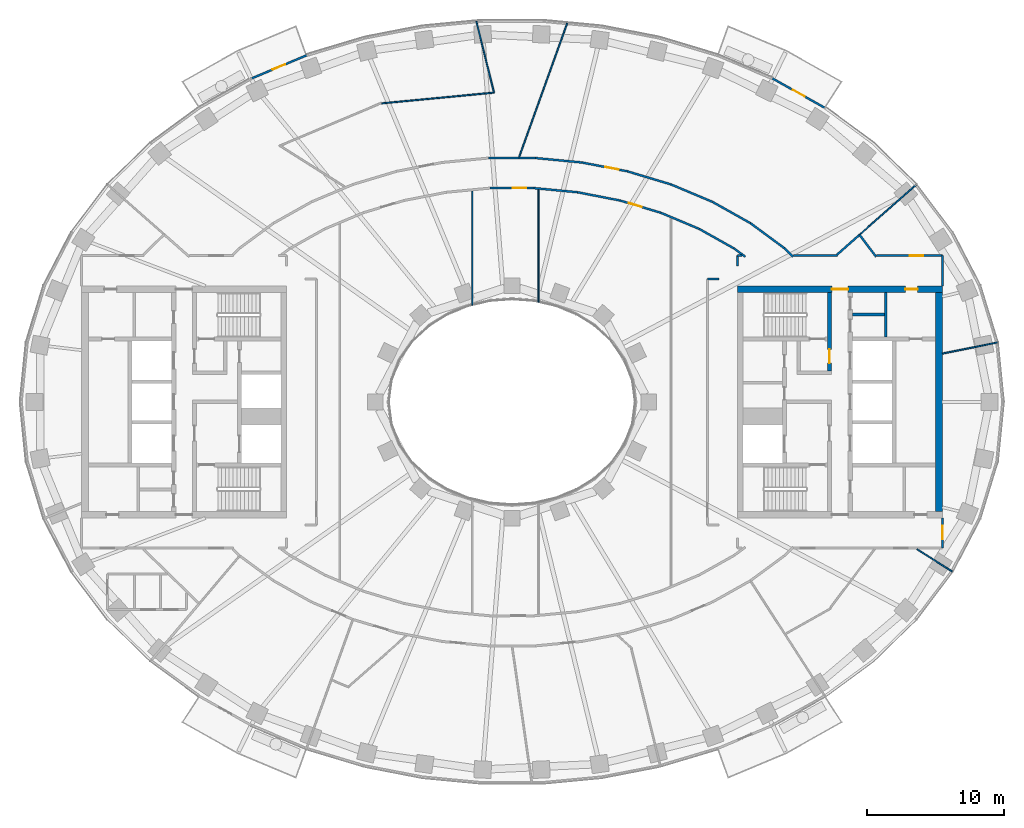
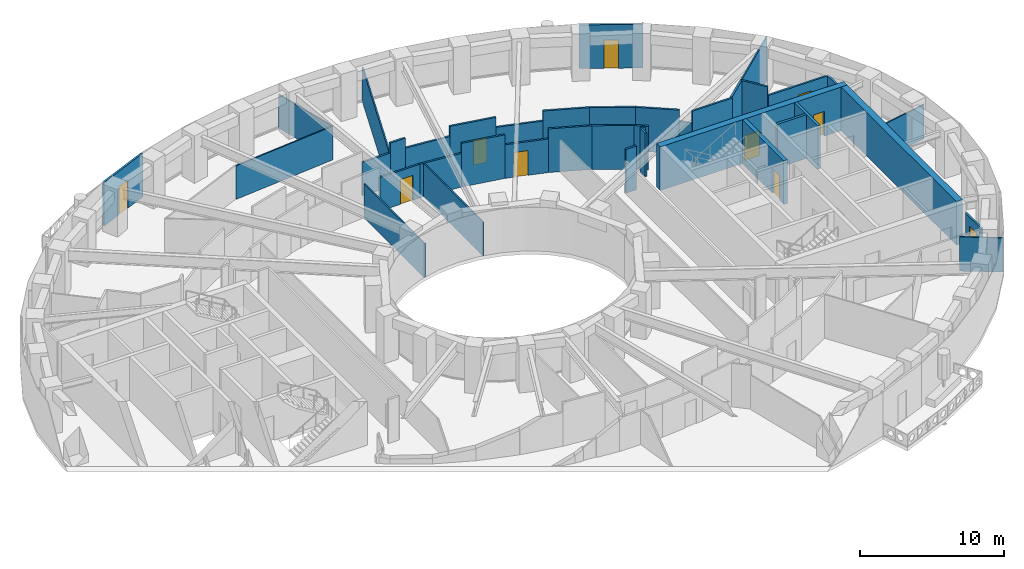
# One storey, part 7 of 16: 40 walls, 10 doors, 10 openings.
"""IFC4 building model written with IfcOpenShell, lengths in metres."""

import ifcopenshell
import ifcopenshell.guid

model = None  # the IFC model being written
_history = None  # IfcOwnerHistory: only IFC2X3 demands one
_inside = {}  # id of a spatial element -> (the spatial element, [elements in it])
_under = {}  # id of a project, library or spatial element -> (it, [spatial elements below it])
_declared = {}  # id of a project -> (the project, [libraries it declares])
_typed = {}  # id of a type object -> (the type object, [elements of that type])
_made_of = {}  # id of a material, layer set ... -> (it, [elements and type objects made of it])


def new_model(schema):
    """Start an empty IFC model of exactly this schema.

    Asked for "IFC4X3", IfcOpenShell would pick the latest addendum, in which some entities
    have other attributes; the version numbers below select the first issue.
    IFC2X3 requires an IfcOwnerHistory on every rooted entity: one is made here for all.
    """
    global model, _history
    if schema == "IFC4X3":
        model = ifcopenshell.file(schema_version=(4, 3, 0, 0))
    else:
        model = ifcopenshell.file(schema=schema)
    _inside.clear()
    _under.clear()
    _declared.clear()
    _typed.clear()
    _made_of.clear()
    _history = None
    if model.schema == "IFC2X3":
        org = make("IfcOrganization", Name="unknown")
        user = make(
            "IfcPersonAndOrganization",
            ThePerson=make("IfcPerson", FamilyName="unknown"),
            TheOrganization=org,
        )
        app = make(
            "IfcApplication",
            ApplicationDeveloper=org,
            Version="unknown",
            ApplicationFullName="unknown",
            ApplicationIdentifier="unknown",
        )
        _history = make(
            "IfcOwnerHistory",
            OwningUser=user,
            OwningApplication=app,
            ChangeAction="ADDED",
            CreationDate=0,
        )
    return model


def make(cls, **values):
    """One entity of the class cls with the attributes given. An attribute that is None is left unset."""
    return model.create_entity(
        cls, **{name: value for name, value in values.items() if value is not None}
    )


def rooted(cls, **values):
    """An entity with a GlobalId (a new one), such as an element, a storey or a relation."""
    return make(cls, GlobalId=ifcopenshell.guid.new(), OwnerHistory=_history, **values)


def si_unit(unit_type, name, prefix=None):
    """IfcSIUnit, for example si_unit("LENGTHUNIT", "METRE", prefix="MILLI")."""
    return make("IfcSIUnit", UnitType=unit_type, Prefix=prefix, Name=name)


def assignment(units):
    """IfcUnitAssignment: the units of a project."""
    return None if units is None else make("IfcUnitAssignment", Units=units)


def point(xyz):
    """IfcCartesianPoint."""
    return None if xyz is None else make("IfcCartesianPoint", Coordinates=xyz)


def direction(xyz):
    """IfcDirection."""
    return None if xyz is None else make("IfcDirection", DirectionRatios=xyz)


def frame(location, z_axis=None, x_axis=None):
    """IfcAxis2Placement3D, a coordinate frame: its origin and axes. An axis left out is left unset."""
    return make(
        "IfcAxis2Placement3D",
        Location=point(location),
        Axis=direction(z_axis),
        RefDirection=direction(x_axis),
    )


def frame_2d(location, x_axis=None):
    """IfcAxis2Placement2D, a coordinate frame in the plane: its origin and x axis."""
    return make(
        "IfcAxis2Placement2D", Location=point(location), RefDirection=direction(x_axis)
    )


def origin():
    """The frame at (0, 0, 0) with its axes left unset."""
    return frame((0.0, 0.0, 0.0))


def place(relative_to, where):
    """IfcLocalPlacement: puts the frame where relative to a parent placement (None: the world)."""
    return make(
        "IfcLocalPlacement", PlacementRelTo=relative_to, RelativePlacement=where
    )


def context(
    kind, dimensions, precision=None, world=None, true_north=None, identifier=None
):
    """IfcGeometricRepresentationContext, for example the 3D "Model" context."""
    return make(
        "IfcGeometricRepresentationContext",
        ContextIdentifier=identifier,
        ContextType=kind,
        CoordinateSpaceDimension=dimensions,
        Precision=precision,
        WorldCoordinateSystem=world,
        TrueNorth=true_north,
    )


def subcontext(parent, identifier, kind, view, scale=None):
    """IfcGeometricRepresentationSubContext, for example "Body" below "Model"."""
    return make(
        "IfcGeometricRepresentationSubContext",
        ContextIdentifier=identifier,
        ContextType=kind,
        ParentContext=parent,
        TargetScale=scale,
        TargetView=view,
    )


def project(units=None, contexts=None):
    """IfcProject with its units and contexts."""
    return rooted(
        "IfcProject",
        Name="project",
        RepresentationContexts=contexts,
        UnitsInContext=assignment(units),
    )


def spatial(cls, under=None, at=None, **own):
    """A site, building, storey or space (cls), placed at a placement, below another one or the project."""
    s = rooted(cls, ObjectPlacement=at, **own)
    if under is not None:
        _under.setdefault(under.id(), (under, []))[1].append(s)
    return s


def profile(cls, at=None, kind="AREA", **sizes):
    """A parametric profile (cls). Its sizes go by their IFC names, for example OverallWidth=200.0."""
    return make(cls, ProfileType=kind, Position=at, **sizes)


def rectangle(**sizes):
    """IfcRectangleProfileDef."""
    return profile("IfcRectangleProfileDef", **sizes)


def extrude(swept, where, along, depth):
    """IfcExtrudedAreaSolid: the profile swept, set in the frame where, extruded along a direction by depth."""
    return make(
        "IfcExtrudedAreaSolid",
        SweptArea=swept,
        Position=where,
        ExtrudedDirection=direction(along),
        Depth=depth,
    )


def shape(context_of_items, identifier, shape_type, items):
    """IfcShapeRepresentation: the items that make up one representation, for example the "Body"."""
    return make(
        "IfcShapeRepresentation",
        ContextOfItems=context_of_items,
        RepresentationIdentifier=identifier,
        RepresentationType=shape_type,
        Items=items,
    )


def material(Name=None, Category=None):
    """IfcMaterial."""
    return make("IfcMaterial", Name=Name, Category=Category)


def layer(
    of_material, thickness, ventilated=None, Name=None, Category=None, Priority=None
):
    """IfcMaterialLayer: one layer of a wall or slab, of a material (None: an air gap)."""
    return make(
        "IfcMaterialLayer",
        Material=of_material,
        LayerThickness=thickness,
        IsVentilated=ventilated,
        Name=Name,
        Category=Category,
        Priority=Priority,
    )


def layer_set(layers, Name=None):
    """IfcMaterialLayerSet."""
    return make("IfcMaterialLayerSet", MaterialLayers=layers, LayerSetName=Name)


def made_of(thing, what):
    """Note that an element or type object is made of a material, layer set ...; save() writes the relation."""
    if what is not None:
        _made_of.setdefault(what.id(), (what, []))[1].append(thing)
    return thing


def type_object(cls, material=None, **own):
    """A type object (cls), such as IfcWallType, which elements share."""
    return made_of(rooted(cls, **own), material)


def element(
    cls,
    number,
    at=None,
    inside=None,
    cuts=None,
    type_object=None,
    material=None,
    context=None,
    identifier="Body",
    shape_type=None,
    held_by="IfcProductDefinitionShape",
    body=None,
    shapes=None,
    **own,
):
    """One element of the class cls, such as IfcWall. Its Tag is "e" and its number.

    at: its placement. inside: the storey or other place that contains it. cuts: it is an
    opening in that element (IfcRelVoidsElement). A single representation is given by context,
    identifier, shape_type and body (its items); several are given by shapes. held_by: the class
    of the entity that holds the representations. save() writes the other relations.
    """
    e = rooted(cls, Tag="e%d" % number, ObjectPlacement=at, **own)
    if body is not None:
        shapes = [shape(context, identifier, shape_type, body)]
    if shapes is not None:
        e.Representation = make(held_by, Representations=shapes)
    if inside is not None:
        _inside.setdefault(inside.id(), (inside, []))[1].append(e)
    if cuts is not None:
        rooted(
            "IfcRelVoidsElement", RelatingBuildingElement=cuts, RelatedOpeningElement=e
        )
    if type_object is not None:
        _typed.setdefault(type_object.id(), (type_object, []))[1].append(e)
    return made_of(e, material)


def fill(opening, filler):
    """IfcRelFillsElement: the door or window that sits in an opening."""
    return rooted(
        "IfcRelFillsElement",
        RelatingOpeningElement=opening,
        RelatedBuildingElement=filler,
    )


def aggregate(whole, parts):
    """IfcRelAggregates: a whole, such as a stair, and the parts it consists of."""
    return rooted("IfcRelAggregates", RelatingObject=whole, RelatedObjects=parts)


def save(model, path):
    """Write the relations noted so far, then the file.

    IfcRelAggregates (storeys below a building ...), IfcRelContainedInSpatialStructure (elements
    in a storey), IfcRelDefinesByType, IfcRelAssociatesMaterial and IfcRelDeclares: one each for
    every whole, place, type object, material and project.
    """
    for whole, parts in _under.values():
        aggregate(whole, parts)
    for where, things in _inside.values():
        rooted(
            "IfcRelContainedInSpatialStructure",
            RelatedElements=things,
            RelatingStructure=where,
        )
    for kind, things in _typed.values():
        rooted("IfcRelDefinesByType", RelatedObjects=things, RelatingType=kind)
    for what, things in _made_of.values():
        rooted("IfcRelAssociatesMaterial", RelatedObjects=things, RelatingMaterial=what)
    for by, libraries in _declared.values():
        rooted("IfcRelDeclares", RelatingContext=by, RelatedDefinitions=libraries)
    model.write(path)


model = new_model("IFC4")

# Units and contexts
model_context = context("Model", 3, precision=1e-05, world=origin(), true_north=direction((0.0, 1.0)))
body_context = subcontext(model_context, "Body", "Model", "MODEL_VIEW")
ifc_project = project(units=[si_unit("LENGTHUNIT", "METRE"), si_unit("AREAUNIT", "SQUARE_METRE"), si_unit("VOLUMEUNIT", "CUBIC_METRE"), si_unit("PLANEANGLEUNIT", "RADIAN"), si_unit("MASSUNIT", "GRAM", prefix="KILO")], contexts=[model_context])

# Site, building, storey
site_placement = place(None, origin())
site = spatial("IfcSite", under=ifc_project, at=site_placement, CompositionType="ELEMENT")
building_placement = place(site_placement, origin())
building = spatial("IfcBuilding", under=site, at=building_placement, Name="Noorbagh Ring Tower", CompositionType="ELEMENT")
storey_placement = place(building_placement, frame((0.0, 0.0, 116.0)))
storey = spatial("IfcBuildingStorey", under=building, at=storey_placement, Name="L26", CompositionType="ELEMENT", Elevation=116.0)

# Walls
ifc_material_1 = material(Name="Gypsum board on steel studs", Category="steel")
ifc_layer_1 = layer(ifc_material_1, 0.199951171875)
ifc_layer_set_1 = layer_set([ifc_layer_1], Name="Gypsum board on steel studs")
wall_type_1 = type_object("IfcWallType", Name="CORE-PARTITION-200", PredefinedType="PARTITIONING", material=ifc_layer_set_1)
wall_1_placement = place(storey_placement, frame((27.35009765625, 4.75, 0.0), z_axis=(0.0, 0.0, 1.0), x_axis=(0.0, 1.0, 0.0)))
element("IfcWall", 1, at=wall_1_placement, inside=storey, type_object=wall_type_1, Name="Core partition E", PredefinedType="PARTITIONING", context=body_context, shape_type="SweptSolid", body=[
    extrude(rectangle(XDim=3.25, YDim=0.199951171875, at=frame_2d((1.625, 0.0))), origin(), (0.0, 0.0, 1.0), 3.699951171875),
])
wall_2_placement = place(storey_placement, frame((24.89990234375, 6.39990234375, 0.0), z_axis=(0.0, 0.0, 1.0), x_axis=(1.0, 0.0, 0.0)))
element("IfcWall", 2, at=wall_2_placement, inside=storey, type_object=wall_type_1, Name="Core partition E", PredefinedType="PARTITIONING", context=body_context, shape_type="SweptSolid", body=[
    extrude(rectangle(XDim=2.35009765625, YDim=0.199951171875, at=frame_2d((1.175048828125, 0.0))), origin(), (0.0, 0.0, 1.0), 3.699951171875),
])

# Wall, opening, door
ifc_material_2 = material(Name="Concrete C70/85", Category="concrete")
ifc_layer_2 = layer(ifc_material_2, 0.300048828125)
ifc_layer_set_2 = layer_set([ifc_layer_2], Name="Concrete C70/85")
wall_type_2 = type_object("IfcWallType", Name="CORE-WALL-300-C70-85-EI240", PredefinedType="SHEAR", material=ifc_layer_set_2)
wall_3_placement = place(storey_placement, frame((23.22998046875, 2.25, 0.0), z_axis=(0.0, 0.0, 1.0), x_axis=(0.0, 1.0, 0.0)))
wall_3 = element("IfcWall", 3, at=wall_3_placement, inside=storey, type_object=wall_type_2, Name="Core wall E", PredefinedType="SHEAR", context=body_context, shape_type="SweptSolid", body=[
    extrude(rectangle(XDim=5.75, YDim=0.300048828125, at=frame_2d((2.875, 0.0))), origin(), (0.0, 0.0, 1.0), 3.699951171875),
])
opening_1_placement = place(wall_3_placement, frame((0.60009765625, 0.0, 0.0)))
opening_1 = element("IfcOpeningElement", 4, at=opening_1_placement, cuts=wall_3, Name="Opening L26-CE08", PredefinedType="OPENING", context=body_context, shape_type="SweptSolid", body=[
    extrude(rectangle(XDim=1.0, YDim=2.10009765625, at=frame_2d((0.5, 1.050048828125))), frame((0.0, 0.16015625, 0.0), z_axis=(0.0, -1.0, 0.0), x_axis=(1.0, 0.0, 0.0)), (0.0, 0.0, 1.0), 0.320068359375),
])
ifc_material_3 = material(Name="Steel door leaf", Category="steel")
door_type_1 = type_object("IfcDoorType", Name="CORE-DOOR-DVEST", OperationType="SINGLE_SWING_LEFT", PredefinedType="DOOR", material=ifc_material_3)
door_1_placement = place(opening_1_placement, origin())
door_1 = element("IfcDoor", 5, at=door_1_placement, inside=storey, type_object=door_type_1, Name="Stair vestibule door L26-CE08", OperationType="SINGLE_SWING_RIGHT", OverallHeight=2.10009765625, OverallWidth=1.0, PredefinedType="DOOR", context=body_context, shape_type="SweptSolid", body=[
    extrude(rectangle(XDim=1.0, YDim=2.10009765625, at=frame_2d((0.5, 1.050048828125))), frame((0.0, 0.02490234375, 0.0), z_axis=(0.0, -1.0, 0.0), x_axis=(1.0, 0.0, 0.0)), (0.0, 0.0, 1.0), 0.050048828125),
])
fill(opening_1, door_1)

# Wall, openings, doors
ifc_material_4 = material(Name="Concrete C70/85", Category="concrete")
ifc_layer_3 = layer(ifc_material_4, 0.5)
ifc_layer_set_3 = layer_set([ifc_layer_3], Name="Concrete C70/85")
wall_type_3 = type_object("IfcWallType", Name="CORE-WALL-500-C70-85-EI240", PredefinedType="SHEAR", material=ifc_layer_set_3)
wall_4_placement = place(storey_placement, frame((16.5, 8.25, 0.0), z_axis=(0.0, 0.0, 1.0), x_axis=(1.0, 0.0, 0.0)))
wall_4 = element("IfcWall", 6, at=wall_4_placement, inside=storey, type_object=wall_type_3, Name="Core wall E", PredefinedType="SHEAR", context=body_context, shape_type="SweptSolid", body=[
    extrude(rectangle(XDim=15.0, YDim=0.5, at=frame_2d((7.5, 0.0))), origin(), (0.0, 0.0, 1.0), 3.699951171875),
])
opening_2_placement = place(wall_4_placement, frame((6.89990234375, 0.0, 0.0)))
opening_2 = element("IfcOpeningElement", 7, at=opening_2_placement, cuts=wall_4, Name="Opening L26-CE09", PredefinedType="OPENING", context=body_context, shape_type="SweptSolid", body=[
    extrude(rectangle(XDim=1.199951171875, YDim=2.10009765625, at=frame_2d((0.60009765625, 1.050048828125))), frame((0.0, 0.260009765625, 0.0), z_axis=(0.0, -1.0, 0.0), x_axis=(1.0, 0.0, 0.0)), (0.0, 0.0, 1.0), 0.52001953125),
])
opening_3_placement = place(wall_4_placement, frame((12.27490234375, 0.0, 0.0)))
opening_3 = element("IfcOpeningElement", 8, at=opening_3_placement, cuts=wall_4, Name="Opening L26-CE15", PredefinedType="OPENING", context=body_context, shape_type="SweptSolid", body=[
    extrude(rectangle(XDim=0.89990234375, YDim=2.10009765625, at=frame_2d((0.449951171875, 1.050048828125))), frame((0.0, 0.260009765625, 0.0), z_axis=(0.0, -1.0, 0.0), x_axis=(1.0, 0.0, 0.0)), (0.0, 0.0, 1.0), 0.52001953125),
])
ifc_material_5 = material(Name="Steel door leaf", Category="steel")
door_type_2 = type_object("IfcDoorType", Name="CORE-DOOR-DROOM", OperationType="SINGLE_SWING_LEFT", PredefinedType="DOOR", material=ifc_material_5)
door_2_placement = place(opening_3_placement, origin())
door_2 = element("IfcDoor", 9, at=door_2_placement, inside=storey, type_object=door_type_2, Name="Core room door L26-CE15", OperationType="SINGLE_SWING_LEFT", OverallHeight=2.10009765625, OverallWidth=0.89990234375, PredefinedType="DOOR", context=body_context, shape_type="SweptSolid", body=[
    extrude(rectangle(XDim=0.89990234375, YDim=2.10009765625, at=frame_2d((0.449951171875, 1.050048828125))), frame((0.0, 0.02490234375, 0.0), z_axis=(0.0, -1.0, 0.0), x_axis=(1.0, 0.0, 0.0)), (0.0, 0.0, 1.0), 0.050048828125),
])
fill(opening_3, door_2)
ifc_material_6 = material(Name="Steel door leaf", Category="steel")
door_type_3 = type_object("IfcDoorType", Name="CORE-DOOR-PORT", OperationType="DOUBLE_DOOR_DOUBLE_SWING", PredefinedType="DOOR", material=ifc_material_6)
door_3_placement = place(opening_2_placement, origin())
door_3 = element("IfcDoor", 10, at=door_3_placement, inside=storey, type_object=door_type_3, Name="Core entrance door L26-CE09", OperationType="DOUBLE_DOOR_DOUBLE_SWING", OverallHeight=2.10009765625, OverallWidth=1.199951171875, PredefinedType="DOOR", context=body_context, shape_type="SweptSolid", body=[
    extrude(rectangle(XDim=1.199951171875, YDim=2.10009765625, at=frame_2d((0.60009765625, 1.050048828125))), frame((0.0, 0.02490234375, 0.0), z_axis=(0.0, -1.0, 0.0), x_axis=(1.0, 0.0, 0.0)), (0.0, 0.0, 1.0), 0.050048828125),
])
fill(opening_2, door_3)

# Walls
wall_5_placement = place(storey_placement, frame((31.25, -8.0, 0.0), z_axis=(0.0, 0.0, 1.0), x_axis=(0.0, 1.0, 0.0)))
element("IfcWall", 11, at=wall_5_placement, inside=storey, type_object=wall_type_3, Name="Core wall E", PredefinedType="SHEAR", context=body_context, shape_type="SweptSolid", body=[
    extrude(rectangle(XDim=16.0, YDim=0.5, at=frame_2d((8.0, 0.0))), origin(), (0.0, 0.0, 1.0), 3.699951171875),
])
ifc_material_7 = material(Name="Gypsum board on steel studs", Category="steel")
ifc_layer_4 = layer(ifc_material_7, 0.14990234375)
ifc_layer_set_4 = layer_set([ifc_layer_4], Name="Gypsum board on steel studs")
wall_type_4 = type_object("IfcWallType", Name="CORRIDOR PARTITION 150 EI 30", PredefinedType="PARTITIONING", material=ifc_layer_set_4)
wall_6_placement = place(storey_placement, frame((-1.7119140625, 17.847900390625, 0.0), z_axis=(0.0, 0.0, 1.0), x_axis=(1.0, 0.0, 0.0)))
element("IfcWall", 12, at=wall_6_placement, inside=storey, type_object=wall_type_4, Name="L26/wall/P63", PredefinedType="PARTITIONING", context=body_context, shape_type="SweptSolid", body=[
    extrude(rectangle(XDim=2.261962890625, YDim=0.14990234375, at=frame_2d((1.130859375, 0.0))), origin(), (0.0, 0.0, 1.0), 2.85009765625),
])

# Wall, opening, door
wall_7_placement = place(storey_placement, frame((-1.60791015625, 15.64794921875, 0.0), z_axis=(0.0, 0.0, 1.0), x_axis=(1.0, 0.0, 0.0)))
wall_7 = element("IfcWall", 13, at=wall_7_placement, inside=storey, type_object=wall_type_4, Name="L26/wall/P65", PredefinedType="PARTITIONING", context=body_context, shape_type="SweptSolid", body=[
    extrude(rectangle(XDim=3.2158203125, YDim=0.14990234375, at=frame_2d((1.60791015625, 0.0))), origin(), (0.0, 0.0, 1.0), 2.85009765625),
])
opening_4_placement = place(wall_7_placement, frame((1.64990234375, 0.0, 0.0)))
opening_4 = element("IfcOpeningElement", 14, at=opening_4_placement, cuts=wall_7, Name="Opening D1", PredefinedType="OPENING", context=body_context, shape_type="SweptSolid", body=[
    extrude(rectangle(XDim=1.0, YDim=2.10009765625, at=frame_2d((0.5, 1.050048828125))), frame((0.0, 0.0849609375, 0.0), z_axis=(0.0, -1.0, 0.0), x_axis=(1.0, 0.0, 0.0)), (0.0, 0.0, 1.0), 0.169921875),
])
ifc_material_8 = material(Name="Timber, painted", Category="wood")
door_type_4 = type_object("IfcDoorType", Name="DOOR 1000 X 2100 FD30", OperationType="SINGLE_SWING_LEFT", PredefinedType="DOOR", material=ifc_material_8)
door_4_placement = place(opening_4_placement, origin())
door_4 = element("IfcDoor", 15, at=door_4_placement, inside=storey, type_object=door_type_4, Name="L26-D22", OperationType="SINGLE_SWING_RIGHT", OverallHeight=2.10009765625, OverallWidth=1.0, PredefinedType="DOOR", context=body_context, shape_type="SweptSolid", body=[
    extrude(rectangle(XDim=1.0, YDim=2.10009765625, at=frame_2d((0.5, 1.050048828125))), frame((0.0, 0.02490234375, 0.0), z_axis=(0.0, -1.0, 0.0), x_axis=(1.0, 0.0, 0.0)), (0.0, 0.0, 1.0), 0.050048828125),
])
fill(opening_4, door_4)

# Walls
wall_8_placement = place(storey_placement, frame((0.509033203125, 17.847900390625, 0.0), z_axis=(0.0, 0.0, 1.0), x_axis=(1.0, 0.0, 0.0)))
element("IfcWall", 16, at=wall_8_placement, inside=storey, type_object=wall_type_4, Name="L26/wall/P68", PredefinedType="PARTITIONING", context=body_context, shape_type="SweptSolid", body=[
    extrude(rectangle(XDim=1.202880859375, YDim=0.14990234375, at=frame_2d((0.6015625, 0.0))), origin(), (0.0, 0.0, 1.0), 3.699951171875),
])
wall_9_placement = place(storey_placement, frame((1.60791015625, 15.64794921875, 0.0), z_axis=(0.0, 0.0, 1.0), x_axis=(0.995491705426, -0.09484863957, 0.0)))
element("IfcWall", 17, at=wall_9_placement, inside=storey, type_object=wall_type_4, Name="L26/wall/P70", PredefinedType="PARTITIONING", context=body_context, shape_type="SweptSolid", body=[
    extrude(rectangle(XDim=3.20458984375, YDim=0.14990234375, at=frame_2d((1.602294921875, 0.0))), origin(), (0.0, 0.0, 1.0), 2.85009765625),
])
wall_10_placement = place(storey_placement, frame((1.7119140625, 17.847900390625, 0.0), z_axis=(0.0, 0.0, 1.0), x_axis=(0.995466844572, -0.095109207532, 0.0)))
element("IfcWall", 18, at=wall_10_placement, inside=storey, type_object=wall_type_4, Name="L26/wall/P72", PredefinedType="PARTITIONING", context=body_context, shape_type="SweptSolid", body=[
    extrude(rectangle(XDim=3.41650390625, YDim=0.14990234375, at=frame_2d((1.708251953125, 0.0))), origin(), (0.0, 0.0, 1.0), 2.85009765625),
])
wall_11_placement = place(storey_placement, frame((4.798095703125, 15.343994140625, 0.0), z_axis=(0.0, 0.0, 1.0), x_axis=(0.981588545092, -0.191007665145, 0.0)))
element("IfcWall", 19, at=wall_11_placement, inside=storey, type_object=wall_type_4, Name="L26/wall/P76", PredefinedType="PARTITIONING", context=body_context, shape_type="SweptSolid", body=[
    extrude(rectangle(XDim=3.17236328125, YDim=0.14990234375, at=frame_2d((1.586181640625, 0.0))), origin(), (0.0, 0.0, 1.0), 3.699951171875),
])

# Wall, opening, door
wall_12_placement = place(storey_placement, frame((5.113037109375, 17.52294921875, 0.0), z_axis=(0.0, 0.0, 1.0), x_axis=(0.981665220565, -0.190613207134, 0.0)))
wall_12 = element("IfcWall", 20, at=wall_12_placement, inside=storey, type_object=wall_type_4, Name="L26/wall/P78", PredefinedType="PARTITIONING", context=body_context, shape_type="SweptSolid", body=[
    extrude(rectangle(XDim=3.38916015625, YDim=0.14990234375, at=frame_2d((1.694580078125, 0.0))), origin(), (0.0, 0.0, 1.0), 3.699951171875),
])
opening_5_placement = place(wall_12_placement, frame((1.739013671875, 0.0, 0.0)))
opening_5 = element("IfcOpeningElement", 21, at=opening_5_placement, cuts=wall_12, Name="Opening D1", PredefinedType="OPENING", context=body_context, shape_type="SweptSolid", body=[
    extrude(rectangle(XDim=1.0, YDim=2.10009765625, at=frame_2d((0.5, 1.050048828125))), frame((0.0, 0.0849609375, 0.0), z_axis=(0.0, -1.0, 0.0), x_axis=(1.0, 0.0, 0.0)), (0.0, 0.0, 1.0), 0.169921875),
])
door_5_placement = place(opening_5_placement, origin())
door_5 = element("IfcDoor", 22, at=door_5_placement, inside=storey, type_object=door_type_4, Name="L26-D13", OperationType="SINGLE_SWING_LEFT", OverallHeight=2.10009765625, OverallWidth=1.0, PredefinedType="DOOR", context=body_context, shape_type="SweptSolid", body=[
    extrude(rectangle(XDim=1.0, YDim=2.10009765625, at=frame_2d((0.5, 1.050048828125))), frame((0.0, 0.02490234375, 0.0), z_axis=(0.0, -1.0, 0.0), x_axis=(1.0, 0.0, 0.0)), (0.0, 0.0, 1.0), 0.050048828125),
])
fill(opening_5, door_5)

wall_13_placement = place(storey_placement, frame((7.912109375, 14.738037109375, 0.0), z_axis=(0.0, 0.0, 1.0), x_axis=(0.957606118849, -0.28808075455, 0.0)))
wall_13 = element("IfcWall", 23, at=wall_13_placement, inside=storey, type_object=wall_type_4, Name="L26/wall/P81", PredefinedType="PARTITIONING", context=body_context, shape_type="SweptSolid", body=[
    extrude(rectangle(XDim=3.116943359375, YDim=0.14990234375, at=frame_2d((1.55859375, 0.0))), origin(), (0.0, 0.0, 1.0), 2.85009765625),
])
opening_6_placement = place(wall_13_placement, frame((0.64990234375, 0.0, 0.0)))
opening_6 = element("IfcOpeningElement", 24, at=opening_6_placement, cuts=wall_13, Name="Opening D1", PredefinedType="OPENING", context=body_context, shape_type="SweptSolid", body=[
    extrude(rectangle(XDim=1.0, YDim=2.10009765625, at=frame_2d((0.5, 1.050048828125))), frame((0.0, 0.0849609375, 0.0), z_axis=(0.0, -1.0, 0.0), x_axis=(1.0, 0.0, 0.0)), (0.0, 0.0, 1.0), 0.169921875),
])
door_6_placement = place(opening_6_placement, origin())
door_6 = element("IfcDoor", 25, at=door_6_placement, inside=storey, type_object=door_type_4, Name="L26-D23", OperationType="SINGLE_SWING_LEFT", OverallHeight=2.10009765625, OverallWidth=1.0, PredefinedType="DOOR", context=body_context, shape_type="SweptSolid", body=[
    extrude(rectangle(XDim=1.0, YDim=2.10009765625, at=frame_2d((0.5, 1.050048828125))), frame((0.0, 0.02490234375, 0.0), z_axis=(0.0, -1.0, 0.0), x_axis=(1.0, 0.0, 0.0)), (0.0, 0.0, 1.0), 0.050048828125),
])
fill(opening_6, door_6)

# Walls
wall_14_placement = place(storey_placement, frame((8.43994140625, 16.876953125, 0.0), z_axis=(0.0, 0.0, 1.0), x_axis=(0.957584891346, -0.288151307243, 0.0)))
element("IfcWall", 26, at=wall_14_placement, inside=storey, type_object=wall_type_4, Name="L26/wall/P83", PredefinedType="PARTITIONING", context=body_context, shape_type="SweptSolid", body=[
    extrude(rectangle(XDim=3.344970703125, YDim=0.14990234375, at=frame_2d((1.67236328125, 0.0))), origin(), (0.0, 0.0, 1.0), 2.85009765625),
])
wall_15_placement = place(storey_placement, frame((10.89697265625, 13.840087890625, 0.0), z_axis=(0.0, 0.0, 1.0), x_axis=(0.921751821358, -0.387780324183, 0.0)))
element("IfcWall", 27, at=wall_15_placement, inside=storey, type_object=wall_type_4, Name="L26/wall/P86", PredefinedType="PARTITIONING", context=body_context, shape_type="SweptSolid", body=[
    extrude(rectangle(XDim=3.037841796875, YDim=0.14990234375, at=frame_2d((1.51904296875, 0.0))), origin(), (0.0, 0.0, 1.0), 3.699951171875),
])
wall_16_placement = place(storey_placement, frame((11.64306640625, 15.9130859375, 0.0), z_axis=(0.0, 0.0, 1.0), x_axis=(0.921789499058, -0.38769075231, 0.0)))
element("IfcWall", 28, at=wall_16_placement, inside=storey, type_object=wall_type_4, Name="L26/wall/P89", PredefinedType="PARTITIONING", context=body_context, shape_type="SweptSolid", body=[
    extrude(rectangle(XDim=3.2783203125, YDim=0.14990234375, at=frame_2d((1.63916015625, 0.0))), origin(), (0.0, 0.0, 1.0), 3.699951171875),
])
wall_17_placement = place(storey_placement, frame((13.697021484375, 12.662109375, 0.0), z_axis=(0.0, 0.0, 1.0), x_axis=(0.872147381065, -0.489243237767, 0.0)))
element("IfcWall", 29, at=wall_17_placement, inside=storey, type_object=wall_type_4, Name="L26/wall/P91", PredefinedType="PARTITIONING", context=body_context, shape_type="SweptSolid", body=[
    extrude(rectangle(XDim=2.92724609375, YDim=0.14990234375, at=frame_2d((1.463623046875, 0.0))), origin(), (0.0, 0.0, 1.0), 3.699951171875),
])
wall_18_placement = place(storey_placement, frame((14.300048828125, 9.0, 0.0), z_axis=(0.0, 0.0, 1.0), x_axis=(1.0, 0.0, 0.0)))
element("IfcWall", 30, at=wall_18_placement, inside=storey, type_object=wall_type_4, Name="L26/wall/P94", PredefinedType="PARTITIONING", context=body_context, shape_type="SweptSolid", body=[
    extrude(rectangle(XDim=0.833984375, YDim=0.14990234375, at=frame_2d((0.4169921875, 0.0))), origin(), (0.0, 0.0, 1.0), 3.699951171875),
])
wall_19_placement = place(storey_placement, frame((14.6650390625, 14.64208984375, 0.0), z_axis=(0.0, 0.0, 1.0), x_axis=(0.872072095629, -0.489377420837, 0.0)))
element("IfcWall", 31, at=wall_19_placement, inside=storey, type_object=wall_type_4, Name="L26/wall/P96", PredefinedType="PARTITIONING", context=body_context, shape_type="SweptSolid", body=[
    extrude(rectangle(XDim=3.187744140625, YDim=0.14990234375, at=frame_2d((1.59375, 0.0))), origin(), (0.0, 0.0, 1.0), 3.699951171875),
])
wall_20_placement = place(storey_placement, frame((16.25, 11.22998046875, 0.0), z_axis=(0.0, 0.0, 1.0), x_axis=(0.805055837353, -0.59319903805, 0.0)))
element("IfcWall", 32, at=wall_20_placement, inside=storey, type_object=wall_type_4, Name="L26/wall/P98", PredefinedType="PARTITIONING", context=body_context, shape_type="SweptSolid", body=[
    extrude(rectangle(XDim=1.019775390625, YDim=0.14990234375, at=frame_2d((0.509765625, 0.0))), origin(), (0.0, 0.0, 1.0), 3.699951171875),
])
wall_21_placement = place(storey_placement, frame((16.5, 9.964111328125, 0.0), z_axis=(0.0, 0.0, 1.0), x_axis=(0.0, 1.0, 0.0)))
element("IfcWall", 33, at=wall_21_placement, inside=storey, type_object=wall_type_4, Name="L26/wall/P101", PredefinedType="PARTITIONING", context=body_context, shape_type="SweptSolid", body=[
    extrude(rectangle(XDim=0.73583984375, YDim=0.14990234375, at=frame_2d((0.367919921875, 0.0))), origin(), (0.0, 0.0, 1.0), 3.699951171875),
])
wall_22_placement = place(storey_placement, frame((16.5, 10.699951171875, 0.0), z_axis=(0.0, 0.0, 1.0), x_axis=(1.0, 0.0, 0.0)))
element("IfcWall", 34, at=wall_22_placement, inside=storey, type_object=wall_type_4, Name="L26/wall/P102", PredefinedType="PARTITIONING", context=body_context, shape_type="SweptSolid", body=[
    extrude(rectangle(XDim=0.343017578125, YDim=0.14990234375, at=frame_2d((0.17138671875, 0.0))), origin(), (0.0, 0.0, 1.0), 3.699951171875),
])
wall_23_placement = place(storey_placement, frame((17.445068359375, 13.08203125, 0.0), z_axis=(0.0, 0.0, 1.0), x_axis=(0.805185638843, -0.593022838516, 0.0)))
element("IfcWall", 35, at=wall_23_placement, inside=storey, type_object=wall_type_4, Name="L26/wall/P103", PredefinedType="PARTITIONING", context=body_context, shape_type="SweptSolid", body=[
    extrude(rectangle(XDim=3.072509765625, YDim=0.14990234375, at=frame_2d((1.5361328125, 0.0))), origin(), (0.0, 0.0, 1.0), 3.699951171875),
])
wall_24_placement = place(storey_placement, frame((19.9189453125, 11.260009765625, 0.0), z_axis=(0.0, 0.0, 1.0), x_axis=(0.716953986293, -0.697120492841, 0.0)))
element("IfcWall", 36, at=wall_24_placement, inside=storey, type_object=wall_type_4, Name="L26/wall/P107", PredefinedType="PARTITIONING", context=body_context, shape_type="SweptSolid", body=[
    extrude(rectangle(XDim=0.910888671875, YDim=0.14990234375, at=frame_2d((0.45556640625, 0.0))), origin(), (0.0, 0.0, 1.0), 2.75),
])
wall_25_placement = place(storey_placement, frame((20.60302734375, 10.699951171875, 0.0), z_axis=(0.0, 0.0, 1.0), x_axis=(1.0, 0.0, 0.0)))
element("IfcWall", 37, at=wall_25_placement, inside=storey, type_object=wall_type_4, Name="L26/wall/P110", PredefinedType="PARTITIONING", context=body_context, shape_type="SweptSolid", body=[
    extrude(rectangle(XDim=3.20703125, YDim=0.14990234375, at=frame_2d((1.603515625, 0.0))), origin(), (0.0, 0.0, 1.0), 3.699951171875),
])
wall_26_placement = place(storey_placement, frame((23.784912109375, 10.778076171875, 0.0), z_axis=(0.0, 0.0, 1.0), x_axis=(0.748911595987, 0.662669918886, 0.0)))
element("IfcWall", 38, at=wall_26_placement, inside=storey, type_object=wall_type_4, Name="L26/wall/P112", PredefinedType="PARTITIONING", context=body_context, shape_type="SweptSolid", body=[
    extrude(rectangle(XDim=2.19384765625, YDim=0.14990234375, at=frame_2d((1.096923828125, 0.0))), origin(), (0.0, 0.0, 1.0), 3.699951171875),
])
wall_27_placement = place(storey_placement, frame((25.427978515625, 12.23193359375, 0.0), z_axis=(0.0, 0.0, 1.0), x_axis=(0.601513631979, -0.798862535449, 0.0)))
element("IfcWall", 39, at=wall_27_placement, inside=storey, type_object=wall_type_4, Name="L26/wall/P113", PredefinedType="PARTITIONING", context=body_context, shape_type="SweptSolid", body=[
    extrude(rectangle(XDim=2.011474609375, YDim=0.14990234375, at=frame_2d((1.005859375, 0.0))), origin(), (0.0, 0.0, 1.0), 3.699951171875),
])

# Wall, opening, door
wall_28_placement = place(storey_placement, frame((26.676025390625, 10.699951171875, 0.0), z_axis=(0.0, 0.0, 1.0), x_axis=(1.0, 0.0, 0.0)))
wall_28 = element("IfcWall", 40, at=wall_28_placement, inside=storey, type_object=wall_type_4, Name="L26/wall/P115", PredefinedType="PARTITIONING", context=body_context, shape_type="SweptSolid", body=[
    extrude(rectangle(XDim=4.823974609375, YDim=0.14990234375, at=frame_2d((2.412109375, 0.0))), origin(), (0.0, 0.0, 1.0), 2.89990234375),
])
opening_7_placement = place(wall_28_placement, frame((2.424072265625, 0.0, 0.0)))
opening_7 = element("IfcOpeningElement", 41, at=opening_7_placement, cuts=wall_28, Name="Opening D1", PredefinedType="OPENING", context=body_context, shape_type="SweptSolid", body=[
    extrude(rectangle(XDim=1.0, YDim=2.10009765625, at=frame_2d((0.5, 1.050048828125))), frame((0.0, 0.0849609375, 0.0), z_axis=(0.0, -1.0, 0.0), x_axis=(1.0, 0.0, 0.0)), (0.0, 0.0, 1.0), 0.169921875),
])
door_7_placement = place(opening_7_placement, origin())
door_7 = element("IfcDoor", 42, at=door_7_placement, inside=storey, type_object=door_type_4, Name="L26-D17", OperationType="SINGLE_SWING_LEFT", OverallHeight=2.10009765625, OverallWidth=1.0, PredefinedType="DOOR", context=body_context, shape_type="SweptSolid", body=[
    extrude(rectangle(XDim=1.0, YDim=2.10009765625, at=frame_2d((0.5, 1.050048828125))), frame((0.0, 0.02490234375, 0.0), z_axis=(0.0, -1.0, 0.0), x_axis=(1.0, 0.0, 0.0)), (0.0, 0.0, 1.0), 0.050048828125),
])
fill(opening_7, door_7)

wall_29_placement = place(storey_placement, frame((31.5, -10.699951171875, 0.0), z_axis=(0.0, 0.0, 1.0), x_axis=(0.0, 1.0, 0.0)))
wall_29 = element("IfcWall", 43, at=wall_29_placement, inside=storey, type_object=wall_type_4, Name="L26/wall/P117", PredefinedType="PARTITIONING", context=body_context, shape_type="SweptSolid", body=[
    extrude(rectangle(XDim=2.199951171875, YDim=0.14990234375, at=frame_2d((1.10009765625, 0.0))), origin(), (0.0, 0.0, 1.0), 2.89990234375),
])
opening_8_placement = place(wall_29_placement, frame((0.64990234375, 0.0, 0.0)))
opening_8 = element("IfcOpeningElement", 44, at=opening_8_placement, cuts=wall_29, Name="Opening D1", PredefinedType="OPENING", context=body_context, shape_type="SweptSolid", body=[
    extrude(rectangle(XDim=1.0, YDim=2.10009765625, at=frame_2d((0.5, 1.050048828125))), frame((0.0, 0.0849609375, 0.0), z_axis=(0.0, -1.0, 0.0), x_axis=(1.0, 0.0, 0.0)), (0.0, 0.0, 1.0), 0.169921875),
])
door_8_placement = place(opening_8_placement, origin())
door_8 = element("IfcDoor", 45, at=door_8_placement, inside=storey, type_object=door_type_4, Name="L26-D18", OperationType="SINGLE_SWING_RIGHT", OverallHeight=2.10009765625, OverallWidth=1.0, PredefinedType="DOOR", context=body_context, shape_type="SweptSolid", body=[
    extrude(rectangle(XDim=1.0, YDim=2.10009765625, at=frame_2d((0.5, 1.050048828125))), frame((0.0, 0.02490234375, 0.0), z_axis=(0.0, -1.0, 0.0), x_axis=(1.0, 0.0, 0.0)), (0.0, 0.0, 1.0), 0.050048828125),
])
fill(opening_8, door_8)

# Wall
wall_30_placement = place(storey_placement, frame((31.5, 8.5, 0.0), z_axis=(0.0, 0.0, 1.0), x_axis=(0.0, 1.0, 0.0)))
element("IfcWall", 46, at=wall_30_placement, inside=storey, type_object=wall_type_4, Name="L26/wall/P119", PredefinedType="PARTITIONING", context=body_context, shape_type="SweptSolid", body=[
    extrude(rectangle(XDim=2.199951171875, YDim=0.14990234375, at=frame_2d((1.10009765625, 0.0))), origin(), (0.0, 0.0, 1.0), 2.89990234375),
])

# Wall, opening, door
ifc_material_9 = material(Name="Insulated aluminium clad panel", Category="aluminium")
ifc_layer_5 = layer(ifc_material_9, 0.14990234375)
ifc_layer_set_5 = layer_set([ifc_layer_5], Name="Insulated aluminium clad panel")
wall_type_5 = type_object("IfcWallType", Name="ENV-WALL-DOOR", PredefinedType="STANDARD", material=ifc_layer_set_5)
wall_31_placement = place(storey_placement, frame((22.913330078125, 21.508544921875, 0.0), z_axis=(0.0, 0.0, 1.0), x_axis=(-0.872046572975, 0.489422899509, 0.0)))
wall_31 = element("IfcWall", 47, at=wall_31_placement, inside=storey, type_object=wall_type_5, Name="Balcony door wall chord 07", PredefinedType="STANDARD", context=body_context, shape_type="SweptSolid", body=[
    extrude(rectangle(XDim=4.425537109375, YDim=0.14990234375, at=frame_2d((2.212890625, 0.0))), origin(), (0.0, 0.0, 1.0), 3.699951171875),
])
opening_9_placement = place(wall_31_placement, frame((1.712646484375, 0.0, 0.0)))
opening_9 = element("IfcOpeningElement", 48, at=opening_9_placement, cuts=wall_31, Name="Opening D-BL", PredefinedType="OPENING", context=body_context, shape_type="SweptSolid", body=[
    extrude(rectangle(XDim=1.0, YDim=2.39990234375, at=frame_2d((0.5, 1.199951171875))), frame((0.0, 0.0849609375, 0.0), z_axis=(0.0, -1.0, 0.0), x_axis=(1.0, 0.0, 0.0)), (0.0, 0.0, 1.0), 0.169921875),
])
ifc_material_10 = material(Name="Aluminium and glass", Category="aluminium")
door_type_5 = type_object("IfcDoorType", Name="ENV-DOOR-BALCONY", OperationType="SINGLE_SWING_LEFT", PredefinedType="DOOR", material=ifc_material_10)
door_9_placement = place(opening_9_placement, origin())
door_9 = element("IfcDoor", 49, at=door_9_placement, inside=storey, type_object=door_type_5, Name="Balcony door chord 07", OperationType="SINGLE_SWING_LEFT", OverallHeight=2.39990234375, OverallWidth=1.0, PredefinedType="DOOR", context=body_context, shape_type="SweptSolid", body=[
    extrude(rectangle(XDim=1.0, YDim=2.39990234375, at=frame_2d((0.5, 1.199951171875))), frame((0.0, 0.02490234375, 0.0), z_axis=(0.0, -1.0, 0.0), x_axis=(1.0, 0.0, 0.0)), (0.0, 0.0, 1.0), 0.050048828125),
])
fill(opening_9, door_9)

wall_32_placement = place(storey_placement, frame((-15.017822265625, 25.368896484375, 0.0), z_axis=(0.0, 0.0, 1.0), x_axis=(-0.921816985161, -0.387625393736, 0.0)))
wall_32 = element("IfcWall", 50, at=wall_32_placement, inside=storey, type_object=wall_type_5, Name="Balcony door wall chord 16", PredefinedType="STANDARD", context=body_context, shape_type="SweptSolid", body=[
    extrude(rectangle(XDim=4.42578125, YDim=0.14990234375, at=frame_2d((2.212890625, 0.0))), origin(), (0.0, 0.0, 1.0), 3.699951171875),
])
opening_10_placement = place(wall_32_placement, frame((1.712890625, 0.0, 0.0)))
opening_10 = element("IfcOpeningElement", 51, at=opening_10_placement, cuts=wall_32, Name="Opening D-BL", PredefinedType="OPENING", context=body_context, shape_type="SweptSolid", body=[
    extrude(rectangle(XDim=1.0, YDim=2.39990234375, at=frame_2d((0.5, 1.199951171875))), frame((0.0, 0.0849609375, 0.0), z_axis=(0.0, -1.0, 0.0), x_axis=(1.0, 0.0, 0.0)), (0.0, 0.0, 1.0), 0.169921875),
])
door_10_placement = place(opening_10_placement, origin())
door_10 = element("IfcDoor", 52, at=door_10_placement, inside=storey, type_object=door_type_5, Name="Balcony door chord 16", OperationType="SINGLE_SWING_LEFT", OverallHeight=2.39990234375, OverallWidth=1.0, PredefinedType="DOOR", context=body_context, shape_type="SweptSolid", body=[
    extrude(rectangle(XDim=1.0, YDim=2.39990234375, at=frame_2d((0.5, 1.199951171875))), frame((0.0, 0.02490234375, 0.0), z_axis=(0.0, -1.0, 0.0), x_axis=(1.0, 0.0, 0.0)), (0.0, 0.0, 1.0), 0.050048828125),
])
fill(opening_10, door_10)

# Walls
ifc_material_11 = material(Name="Gypsum board on steel studs", Category="steel")
ifc_layer_6 = layer(ifc_material_11, 0.10009765625)
ifc_layer_set_6 = layer_set([ifc_layer_6], Name="Gypsum board on steel studs")
wall_type_6 = type_object("IfcWallType", Name="PARTITION 100 GYPSUM", PredefinedType="PARTITIONING", material=ifc_layer_set_6)
wall_33_placement = place(storey_placement, frame((-9.52294921875, 21.847900390625, 0.0), z_axis=(0.0, 0.0, 1.0), x_axis=(0.99544018458, 0.095387834251, 0.0)))
element("IfcWall", 53, at=wall_33_placement, inside=storey, type_object=wall_type_6, Name="L26/wall/P50", PredefinedType="PARTITIONING", context=body_context, shape_type="SweptSolid", body=[
    extrude(rectangle(XDim=8.241455078125, YDim=0.10009765625, at=frame_2d((4.12060546875, 0.0))), origin(), (0.0, 0.0, 1.0), 2.85009765625),
])
wall_34_placement = place(storey_placement, frame((-2.908935546875, 7.08203125, 0.0), z_axis=(0.0, 0.0, 1.0), x_axis=(0.0, 1.0, 0.0)))
element("IfcWall", 54, at=wall_34_placement, inside=storey, type_object=wall_type_6, Name="L26/wall/P60", PredefinedType="PARTITIONING", context=body_context, shape_type="SweptSolid", body=[
    extrude(rectangle(XDim=8.363037109375, YDim=0.10009765625, at=frame_2d((4.181640625, 0.0))), origin(), (0.0, 0.0, 1.0), 2.89990234375),
])
wall_35_placement = place(storey_placement, frame((-2.60888671875, 27.85791015625, 0.0), z_axis=(0.0, 0.0, 1.0), x_axis=(0.239705454967, -0.970845659649, 0.0)))
element("IfcWall", 55, at=wall_35_placement, inside=storey, type_object=wall_type_6, Name="L26/wall/P61", PredefinedType="PARTITIONING", context=body_context, shape_type="SweptSolid", body=[
    extrude(rectangle(XDim=5.380859375, YDim=0.10009765625, at=frame_2d((2.6904296875, 0.0))), origin(), (0.0, 0.0, 1.0), 2.85009765625),
])
wall_36_placement = place(storey_placement, frame((0.52294921875, 17.923095703125, 0.0), z_axis=(0.0, 0.0, 1.0), x_axis=(0.338475258228, 0.940975291688, 0.0)))
element("IfcWall", 56, at=wall_36_placement, inside=storey, type_object=wall_type_6, Name="L26/wall/P67", PredefinedType="PARTITIONING", context=body_context, shape_type="SweptSolid", body=[
    extrude(rectangle(XDim=10.408203125, YDim=0.10009765625, at=frame_2d((5.2041015625, 0.0))), origin(), (0.0, 0.0, 1.0), 2.89990234375),
])
wall_37_placement = place(storey_placement, frame((1.93896484375, 7.306884765625, 0.0), z_axis=(0.0, 0.0, 1.0), x_axis=(0.0, 1.0, 0.0)))
element("IfcWall", 57, at=wall_37_placement, inside=storey, type_object=wall_type_6, Name="L26/wall/P74", PredefinedType="PARTITIONING", context=body_context, shape_type="SweptSolid", body=[
    extrude(rectangle(XDim=8.230224609375, YDim=0.10009765625, at=frame_2d((4.115234375, 0.0))), origin(), (0.0, 0.0, 1.0), 2.85009765625),
])
wall_38_placement = place(storey_placement, frame((25.427978515625, 12.23193359375, 0.0), z_axis=(0.0, 0.0, 1.0), x_axis=(0.749015105068, 0.662552920437, 0.0)))
element("IfcWall", 58, at=wall_38_placement, inside=storey, type_object=wall_type_6, Name="L26/wall/P114", PredefinedType="PARTITIONING", context=body_context, shape_type="SweptSolid", body=[
    extrude(rectangle(XDim=5.52880859375, YDim=0.10009765625, at=frame_2d((2.764404296875, 0.0))), origin(), (0.0, 0.0, 1.0), 3.699951171875),
])
wall_39_placement = place(storey_placement, frame((29.636962890625, -10.777099609375, 0.0), z_axis=(0.0, 0.0, 1.0), x_axis=(0.844810627195, -0.535065420467, 0.0)))
element("IfcWall", 59, at=wall_39_placement, inside=storey, type_object=wall_type_6, Name="L26/wall/P116", PredefinedType="PARTITIONING", context=body_context, shape_type="SweptSolid", body=[
    extrude(rectangle(XDim=3.0478515625, YDim=0.10009765625, at=frame_2d((1.52392578125, 0.0))), origin(), (0.0, 0.0, 1.0), 2.89990234375),
])
wall_40_placement = place(storey_placement, frame((31.5, 3.5419921875, 0.0), z_axis=(0.0, 0.0, 1.0), x_axis=(0.980357474535, 0.197228857227, 0.0)))
element("IfcWall", 60, at=wall_40_placement, inside=storey, type_object=wall_type_6, Name="L26/wall/P118", PredefinedType="PARTITIONING", context=body_context, shape_type="SweptSolid", body=[
    extrude(rectangle(XDim=4.09228515625, YDim=0.10009765625, at=frame_2d((2.046142578125, 0.0))), origin(), (0.0, 0.0, 1.0), 2.89990234375),
])

save(model, "model.ifc")
